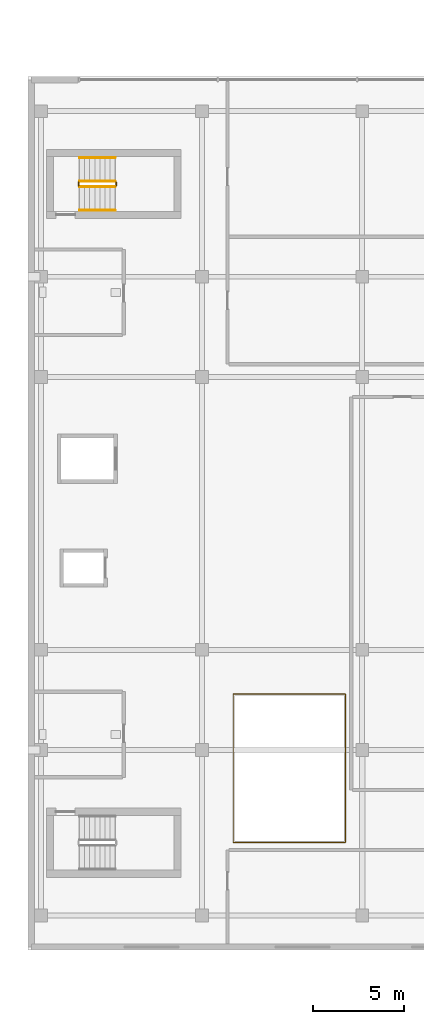
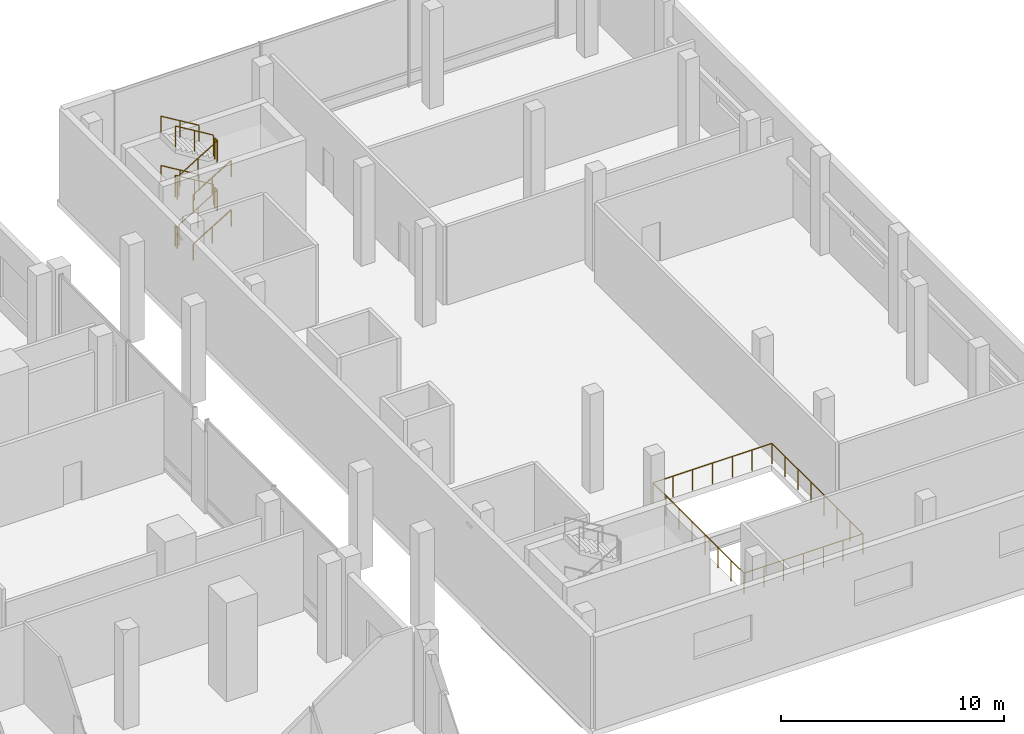
# One storey, part 31 of 32: 13 railings.
"""IFC4 building model written with IfcOpenShell, lengths in metres."""

from ifc_helpers import new_model, si_unit, direction, frame, origin, origin_2d, place, context, subcontext, project, spatial, circle, extrude, material, type_object, element, save


model = new_model("IFC4")

# Units and contexts
model_context = context("Model", 3, precision=1e-05, world=origin(), true_north=direction((0.0, 1.0)))
body_context = subcontext(model_context, "Body", "Model", "MODEL_VIEW")
ifc_project = project(units=[si_unit("LENGTHUNIT", "METRE"), si_unit("AREAUNIT", "SQUARE_METRE"), si_unit("VOLUMEUNIT", "CUBIC_METRE"), si_unit("PLANEANGLEUNIT", "RADIAN"), si_unit("MASSUNIT", "GRAM", prefix="KILO")], contexts=[model_context])

# Site, building, storey
site_placement = place(None, origin())
site = spatial("IfcSite", under=ifc_project, at=site_placement, CompositionType="ELEMENT")
building_placement = place(site_placement, origin())
building = spatial("IfcBuilding", under=site, at=building_placement, Name="Barlavira Tower and Art Museum", CompositionType="ELEMENT")
storey_placement = place(building_placement, frame((0.0, 0.0, 6.0)))
storey = spatial("IfcBuildingStorey", under=building, at=storey_placement, Name="L01", CompositionType="ELEMENT", Elevation=6.0)

# Railings
ifc_material = material(Name="Brushed stainless steel", Category="steel")
railing_type_1 = type_object("IfcRailingType", Name="Interior Void and Landing Guard Railing 1150", PredefinedType="GUARDRAIL", material=ifc_material)
railing_1_placement = place(storey_placement, frame((32.070068359375, 17.949951171875, 0.168701171875)))
element("IfcRailing", 1, at=railing_1_placement, inside=storey, type_object=railing_type_1, Name="L01 ST-M2 stair guard 1", PredefinedType="GUARDRAIL", context=body_context, shape_type="SweptSolid", body=[
    extrude(circle(Radius=0.02392578125, at=origin_2d()), frame((0.0, 0.0, 1.1259765625), z_axis=(0.856446297458, 0.0, 0.516236127728), x_axis=(0.0, 1.0, 0.0)), (0.0, 0.0, 1.0), 2.28857421875),
    extrude(circle(Radius=0.02099609375, at=origin_2d()), origin(), (0.0, 0.0, 1.0), 1.101806640625),
    extrude(circle(Radius=0.02099609375, at=origin_2d()), frame((0.97998046875, 0.0, 0.5908203125)), (0.0, 0.0, 1.0), 1.101806640625),
    extrude(circle(Radius=0.02099609375, at=origin_2d()), frame((1.9599609375, 0.0, 1.181396484375)), (0.0, 0.0, 1.0), 1.101806640625),
])
railing_2_placement = place(storey_placement, frame((34.080078125, 18.0, 1.35009765625)))
element("IfcRailing", 2, at=railing_2_placement, inside=storey, type_object=railing_type_1, Name="L01 ST-M2 stair guard 2", PredefinedType="GUARDRAIL", context=body_context, shape_type="SweptSolid", body=[
    extrude(circle(Radius=0.02392578125, at=origin_2d()), frame((0.0, 0.0, 1.1259765625), z_axis=(0.0, 1.0, 0.0), x_axis=(-1.0, 0.0, 0.0)), (0.0, 0.0, 1.0), 0.199951171875),
    extrude(circle(Radius=0.02099609375, at=origin_2d()), origin(), (0.0, 0.0, 1.0), 1.101806640625),
    extrude(circle(Radius=0.02099609375, at=origin_2d()), frame((0.0, 0.199951171875, 0.0)), (0.0, 0.0, 1.0), 1.101806640625),
])
railing_3_placement = place(storey_placement, frame((34.030029296875, 18.25, 1.518798828125)))
element("IfcRailing", 3, at=railing_3_placement, inside=storey, type_object=railing_type_1, Name="L01 ST-M2 stair guard 3", PredefinedType="GUARDRAIL", context=body_context, shape_type="SweptSolid", body=[
    extrude(circle(Radius=0.02392578125, at=origin_2d()), frame((0.0, 0.0, 1.1259765625), z_axis=(-0.856493463811, 0.0, 0.516157869696), x_axis=(0.0, -1.0, 0.0)), (0.0, 0.0, 1.0), 2.288330078125),
    extrude(circle(Radius=0.02099609375, at=origin_2d()), origin(), (0.0, 0.0, 1.0), 1.101806640625),
    extrude(circle(Radius=0.02099609375, at=origin_2d()), frame((-0.97998046875, 0.0, 0.590576171875)), (0.0, 0.0, 1.0), 1.101806640625),
    extrude(circle(Radius=0.02099609375, at=origin_2d()), frame((-1.9599609375, 0.0, 1.18115234375)), (0.0, 0.0, 1.0), 1.101806640625),
])
railing_4_placement = place(storey_placement, frame((32.02001953125, 18.0, 2.699951171875)))
element("IfcRailing", 4, at=railing_4_placement, inside=storey, type_object=railing_type_1, Name="L01 ST-M2 stair guard 4", PredefinedType="GUARDRAIL", context=body_context, shape_type="SweptSolid", body=[
    extrude(circle(Radius=0.02392578125, at=origin_2d()), frame((0.0, 0.0, 1.1259765625), z_axis=(0.0, 1.0, 0.0), x_axis=(-1.0, 0.0, 0.0)), (0.0, 0.0, 1.0), 0.199951171875),
    extrude(circle(Radius=0.02099609375, at=origin_2d()), origin(), (0.0, 0.0, 1.0), 1.101806640625),
    extrude(circle(Radius=0.02099609375, at=origin_2d()), frame((0.0, 0.199951171875, 0.0)), (0.0, 0.0, 1.0), 1.101806640625),
])
railing_5_placement = place(storey_placement, frame((32.070068359375, 17.949951171875, 2.86865234375)))
element("IfcRailing", 5, at=railing_5_placement, inside=storey, type_object=railing_type_1, Name="L01 ST-M2 stair guard 5", PredefinedType="GUARDRAIL", context=body_context, shape_type="SweptSolid", body=[
    extrude(circle(Radius=0.02392578125, at=origin_2d()), frame((0.0, 0.0, 1.1259765625), z_axis=(0.856446297458, 0.0, 0.516236127728), x_axis=(0.0, 1.0, 0.0)), (0.0, 0.0, 1.0), 2.28857421875),
    extrude(circle(Radius=0.02099609375, at=origin_2d()), origin(), (0.0, 0.0, 1.0), 1.101806640625),
    extrude(circle(Radius=0.02099609375, at=origin_2d()), frame((0.97998046875, 0.0, 0.5908203125)), (0.0, 0.0, 1.0), 1.101806640625),
    extrude(circle(Radius=0.02099609375, at=origin_2d()), frame((1.9599609375, 0.0, 1.181396484375)), (0.0, 0.0, 1.0), 1.101806640625),
])
railing_6_placement = place(storey_placement, frame((34.080078125, 18.0, 4.050048828125)))
element("IfcRailing", 6, at=railing_6_placement, inside=storey, type_object=railing_type_1, Name="L01 ST-M2 stair guard 6", PredefinedType="GUARDRAIL", context=body_context, shape_type="SweptSolid", body=[
    extrude(circle(Radius=0.02392578125, at=origin_2d()), frame((0.0, 0.0, 1.1259765625), z_axis=(0.0, 1.0, 0.0), x_axis=(-1.0, 0.0, 0.0)), (0.0, 0.0, 1.0), 0.199951171875),
    extrude(circle(Radius=0.02099609375, at=origin_2d()), origin(), (0.0, 0.0, 1.0), 1.101806640625),
    extrude(circle(Radius=0.02099609375, at=origin_2d()), frame((0.0, 0.199951171875, 0.0)), (0.0, 0.0, 1.0), 1.101806640625),
])
railing_7_placement = place(storey_placement, frame((34.030029296875, 18.25, 4.21875)))
element("IfcRailing", 7, at=railing_7_placement, inside=storey, type_object=railing_type_1, Name="L01 ST-M2 stair guard 7", PredefinedType="GUARDRAIL", context=body_context, shape_type="SweptSolid", body=[
    extrude(circle(Radius=0.02392578125, at=origin_2d()), frame((0.0, 0.0, 1.1259765625), z_axis=(-0.856493463811, 0.0, 0.516157869696), x_axis=(0.0, -1.0, 0.0)), (0.0, 0.0, 1.0), 2.288330078125),
    extrude(circle(Radius=0.02099609375, at=origin_2d()), origin(), (0.0, 0.0, 1.0), 1.101806640625),
    extrude(circle(Radius=0.02099609375, at=origin_2d()), frame((-0.97998046875, 0.0, 0.590576171875)), (0.0, 0.0, 1.0), 1.101806640625),
    extrude(circle(Radius=0.02099609375, at=origin_2d()), frame((-1.9599609375, 0.0, 1.18115234375)), (0.0, 0.0, 1.0), 1.101806640625),
])
railing_8_placement = place(storey_placement, frame((32.02001953125, 18.0, 0.0)))
element("IfcRailing", 8, at=railing_8_placement, inside=storey, type_object=railing_type_1, Name="L01 ST-M2 stair guard 8", PredefinedType="GUARDRAIL", context=body_context, shape_type="SweptSolid", body=[
    extrude(circle(Radius=0.02392578125, at=origin_2d()), frame((0.0, 0.0, 1.1259765625), z_axis=(0.0, 1.0, 0.0), x_axis=(-1.0, 0.0, 0.0)), (0.0, 0.0, 1.0), 0.199951171875),
    extrude(circle(Radius=0.02099609375, at=origin_2d()), origin(), (0.0, 0.0, 1.0), 1.101806640625),
    extrude(circle(Radius=0.02099609375, at=origin_2d()), frame((0.0, 0.199951171875, 0.0)), (0.0, 0.0, 1.0), 1.101806640625),
])
railing_9_placement = place(storey_placement, frame((40.52001953125, -18.080078125, 0.0)))
element("IfcRailing", 9, at=railing_9_placement, inside=storey, type_object=railing_type_1, Name="L01 Museum Sculpture Hall Void Guard", PredefinedType="GUARDRAIL", context=body_context, shape_type="SweptSolid", body=[
    extrude(circle(Radius=0.02392578125, at=origin_2d()), frame((0.0, 0.0, 1.1259765625), z_axis=(1.0, 0.0, 0.0), x_axis=(0.0, 1.0, 0.0)), (0.0, 0.0, 1.0), 6.159912109375),
    extrude(circle(Radius=0.02392578125, at=origin_2d()), frame((6.159912109375, 0.0, 1.1259765625), z_axis=(0.0, 1.0, 0.0), x_axis=(-1.0, 0.0, 0.0)), (0.0, 0.0, 1.0), 8.16015625),
    extrude(circle(Radius=0.02392578125, at=origin_2d()), frame((6.159912109375, 8.16015625, 1.1259765625), z_axis=(-1.0, 0.0, 0.0), x_axis=(0.0, -1.0, 0.0)), (0.0, 0.0, 1.0), 6.159912109375),
    extrude(circle(Radius=0.02392578125, at=origin_2d()), frame((0.0, 8.16015625, 1.1259765625), z_axis=(0.0, -1.0, 0.0), x_axis=(1.0, 0.0, 0.0)), (0.0, 0.0, 1.0), 8.16015625),
    extrude(circle(Radius=0.02099609375, at=origin_2d()), origin(), (0.0, 0.0, 1.0), 1.101806640625),
    extrude(circle(Radius=0.02099609375, at=origin_2d()), frame((1.026611328125, 0.0, 0.0)), (0.0, 0.0, 1.0), 1.101806640625),
    extrude(circle(Radius=0.02099609375, at=origin_2d()), frame((2.05322265625, 0.0, 0.0)), (0.0, 0.0, 1.0), 1.101806640625),
    extrude(circle(Radius=0.02099609375, at=origin_2d()), frame((3.080078125, 0.0, 0.0)), (0.0, 0.0, 1.0), 1.101806640625),
    extrude(circle(Radius=0.02099609375, at=origin_2d()), frame((4.106689453125, 0.0, 0.0)), (0.0, 0.0, 1.0), 1.101806640625),
    extrude(circle(Radius=0.02099609375, at=origin_2d()), frame((5.13330078125, 0.0, 0.0)), (0.0, 0.0, 1.0), 1.101806640625),
    extrude(circle(Radius=0.02099609375, at=origin_2d()), frame((6.159912109375, 0.0, 0.0)), (0.0, 0.0, 1.0), 1.101806640625),
    extrude(circle(Radius=0.02099609375, at=origin_2d()), frame((6.159912109375, 1.165771484375, 0.0)), (0.0, 0.0, 1.0), 1.101806640625),
    extrude(circle(Radius=0.02099609375, at=origin_2d()), frame((6.159912109375, 2.33154296875, 0.0)), (0.0, 0.0, 1.0), 1.101806640625),
    extrude(circle(Radius=0.02099609375, at=origin_2d()), frame((6.159912109375, 3.497314453125, 0.0)), (0.0, 0.0, 1.0), 1.101806640625),
    extrude(circle(Radius=0.02099609375, at=origin_2d()), frame((6.159912109375, 4.662841796875, 0.0)), (0.0, 0.0, 1.0), 1.101806640625),
    extrude(circle(Radius=0.02099609375, at=origin_2d()), frame((6.159912109375, 5.82861328125, 0.0)), (0.0, 0.0, 1.0), 1.101806640625),
    extrude(circle(Radius=0.02099609375, at=origin_2d()), frame((6.159912109375, 6.994384765625, 0.0)), (0.0, 0.0, 1.0), 1.101806640625),
    extrude(circle(Radius=0.02099609375, at=origin_2d()), frame((6.159912109375, 8.16015625, 0.0)), (0.0, 0.0, 1.0), 1.101806640625),
    extrude(circle(Radius=0.02099609375, at=origin_2d()), frame((5.13330078125, 8.16015625, 0.0)), (0.0, 0.0, 1.0), 1.101806640625),
    extrude(circle(Radius=0.02099609375, at=origin_2d()), frame((4.106689453125, 8.16015625, 0.0)), (0.0, 0.0, 1.0), 1.101806640625),
    extrude(circle(Radius=0.02099609375, at=origin_2d()), frame((3.080078125, 8.16015625, 0.0)), (0.0, 0.0, 1.0), 1.101806640625),
    extrude(circle(Radius=0.02099609375, at=origin_2d()), frame((2.05322265625, 8.16015625, 0.0)), (0.0, 0.0, 1.0), 1.101806640625),
    extrude(circle(Radius=0.02099609375, at=origin_2d()), frame((1.026611328125, 8.16015625, 0.0)), (0.0, 0.0, 1.0), 1.101806640625),
    extrude(circle(Radius=0.02099609375, at=origin_2d()), frame((0.0, 8.16015625, 0.0)), (0.0, 0.0, 1.0), 1.101806640625),
    extrude(circle(Radius=0.02099609375, at=origin_2d()), frame((0.0, 6.994384765625, 0.0)), (0.0, 0.0, 1.0), 1.101806640625),
    extrude(circle(Radius=0.02099609375, at=origin_2d()), frame((0.0, 5.82861328125, 0.0)), (0.0, 0.0, 1.0), 1.101806640625),
    extrude(circle(Radius=0.02099609375, at=origin_2d()), frame((0.0, 4.662841796875, 0.0)), (0.0, 0.0, 1.0), 1.101806640625),
    extrude(circle(Radius=0.02099609375, at=origin_2d()), frame((0.0, 3.497314453125, 0.0)), (0.0, 0.0, 1.0), 1.101806640625),
    extrude(circle(Radius=0.02099609375, at=origin_2d()), frame((0.0, 2.33154296875, 0.0)), (0.0, 0.0, 1.0), 1.101806640625),
    extrude(circle(Radius=0.02099609375, at=origin_2d()), frame((0.0, 1.165771484375, 0.0)), (0.0, 0.0, 1.0), 1.101806640625),
])
railing_type_2 = type_object("IfcRailingType", Name="Stair Pitch Tubular Steel Handrail 920", PredefinedType="HANDRAIL", material=ifc_material)
railing_10_placement = place(storey_placement, frame((32.070068359375, 16.64990234375, 0.168701171875)))
element("IfcRailing", 10, at=railing_10_placement, inside=storey, type_object=railing_type_2, Name="L01 ST-M2 stair handrail 1", PredefinedType="HANDRAIL", context=body_context, shape_type="SweptSolid", body=[
    extrude(circle(Radius=0.02392578125, at=origin_2d()), frame((0.0, 0.0, 0.8759765625), z_axis=(0.856446297458, 0.0, 0.516236127728), x_axis=(0.0, 1.0, 0.0)), (0.0, 0.0, 1.0), 2.28857421875),
    extrude(circle(Radius=0.02099609375, at=origin_2d()), origin(), (0.0, 0.0, 1.0), 0.851806640625),
    extrude(circle(Radius=0.02099609375, at=origin_2d()), frame((0.97998046875, 0.0, 0.5908203125)), (0.0, 0.0, 1.0), 0.851806640625),
    extrude(circle(Radius=0.02099609375, at=origin_2d()), frame((1.9599609375, 0.0, 1.181396484375)), (0.0, 0.0, 1.0), 0.851806640625),
])
railing_11_placement = place(storey_placement, frame((34.030029296875, 19.550048828125, 1.518798828125)))
element("IfcRailing", 11, at=railing_11_placement, inside=storey, type_object=railing_type_2, Name="L01 ST-M2 stair handrail 2", PredefinedType="HANDRAIL", context=body_context, shape_type="SweptSolid", body=[
    extrude(circle(Radius=0.02392578125, at=origin_2d()), frame((0.0, 0.0, 0.8759765625), z_axis=(-0.856493463811, 0.0, 0.516157869696), x_axis=(0.0, -1.0, 0.0)), (0.0, 0.0, 1.0), 2.288330078125),
    extrude(circle(Radius=0.02099609375, at=origin_2d()), origin(), (0.0, 0.0, 1.0), 0.851806640625),
    extrude(circle(Radius=0.02099609375, at=origin_2d()), frame((-0.97998046875, 0.0, 0.590576171875)), (0.0, 0.0, 1.0), 0.851806640625),
    extrude(circle(Radius=0.02099609375, at=origin_2d()), frame((-1.9599609375, 0.0, 1.18115234375)), (0.0, 0.0, 1.0), 0.851806640625),
])
railing_12_placement = place(storey_placement, frame((32.070068359375, 16.64990234375, 2.86865234375)))
element("IfcRailing", 12, at=railing_12_placement, inside=storey, type_object=railing_type_2, Name="L01 ST-M2 stair handrail 3", PredefinedType="HANDRAIL", context=body_context, shape_type="SweptSolid", body=[
    extrude(circle(Radius=0.02392578125, at=origin_2d()), frame((0.0, 0.0, 0.8759765625), z_axis=(0.856446297458, 0.0, 0.516236127728), x_axis=(0.0, 1.0, 0.0)), (0.0, 0.0, 1.0), 2.28857421875),
    extrude(circle(Radius=0.02099609375, at=origin_2d()), origin(), (0.0, 0.0, 1.0), 0.851806640625),
    extrude(circle(Radius=0.02099609375, at=origin_2d()), frame((0.97998046875, 0.0, 0.5908203125)), (0.0, 0.0, 1.0), 0.851806640625),
    extrude(circle(Radius=0.02099609375, at=origin_2d()), frame((1.9599609375, 0.0, 1.181396484375)), (0.0, 0.0, 1.0), 0.851806640625),
])
railing_13_placement = place(storey_placement, frame((34.030029296875, 19.550048828125, 4.21875)))
element("IfcRailing", 13, at=railing_13_placement, inside=storey, type_object=railing_type_2, Name="L01 ST-M2 stair handrail 4", PredefinedType="HANDRAIL", context=body_context, shape_type="SweptSolid", body=[
    extrude(circle(Radius=0.02392578125, at=origin_2d()), frame((0.0, 0.0, 0.8759765625), z_axis=(-0.856493463811, 0.0, 0.516157869696), x_axis=(0.0, -1.0, 0.0)), (0.0, 0.0, 1.0), 2.288330078125),
    extrude(circle(Radius=0.02099609375, at=origin_2d()), origin(), (0.0, 0.0, 1.0), 0.851806640625),
    extrude(circle(Radius=0.02099609375, at=origin_2d()), frame((-0.97998046875, 0.0, 0.590576171875)), (0.0, 0.0, 1.0), 0.851806640625),
    extrude(circle(Radius=0.02099609375, at=origin_2d()), frame((-1.9599609375, 0.0, 1.18115234375)), (0.0, 0.0, 1.0), 0.851806640625),
])

save(model, "model.ifc")
